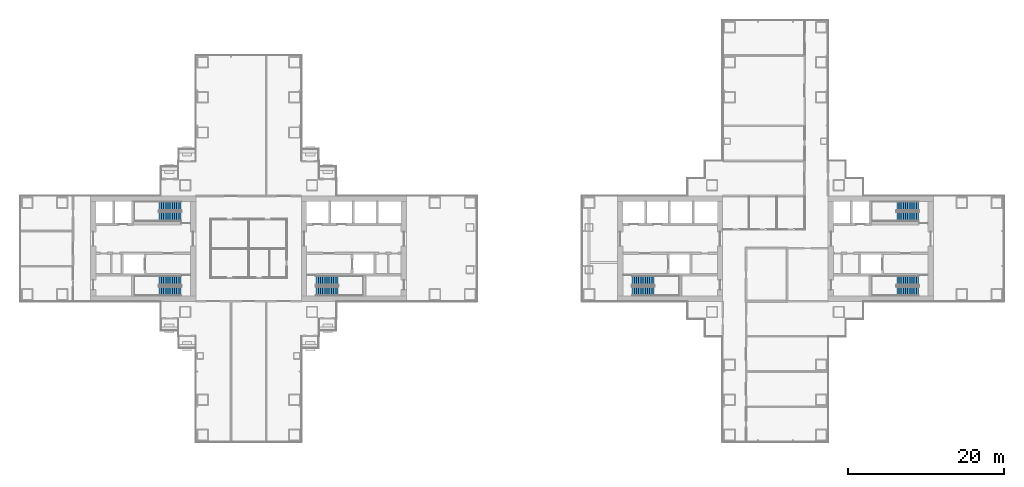
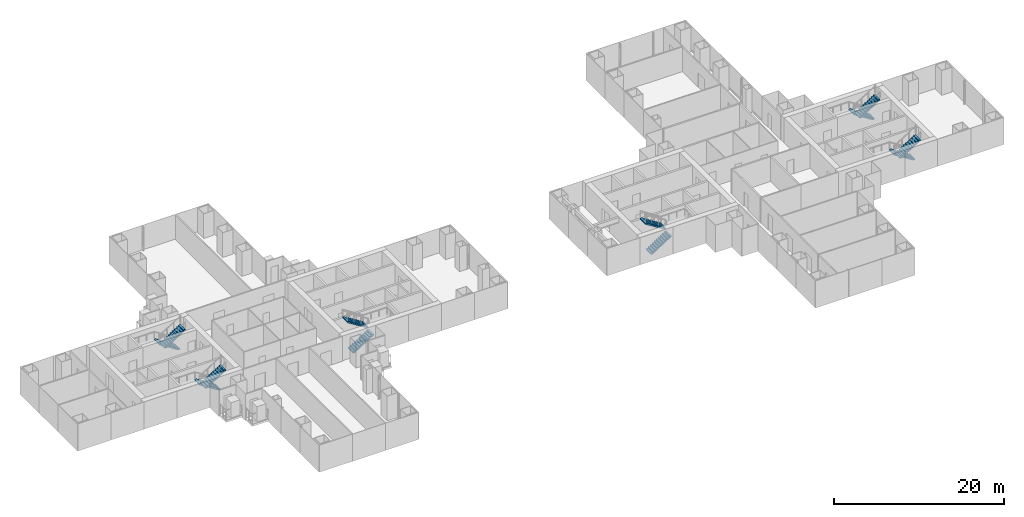
# One storey, part 18 of 21: 12 stair flights, 6 elements without a shape of their own.
"""IFC4 building model written with IfcOpenShell, lengths in metres."""

from ifc_helpers import new_model, si_unit, direction, frame, origin, place, context, subcontext, project, spatial, polyline, outline, extrude, material, type_object, element, aggregate, save


model = new_model("IFC4")

# Units and contexts
model_context = context("Model", 3, precision=1e-05, world=origin(), true_north=direction((0.0, 1.0)))
body_context = subcontext(model_context, "Body", "Model", "MODEL_VIEW")
ifc_project = project(units=[si_unit("LENGTHUNIT", "METRE"), si_unit("AREAUNIT", "SQUARE_METRE"), si_unit("VOLUMEUNIT", "CUBIC_METRE"), si_unit("PLANEANGLEUNIT", "RADIAN"), si_unit("MASSUNIT", "GRAM", prefix="KILO")], contexts=[model_context])

# Site, building, storey
site_placement = place(None, origin())
site = spatial("IfcSite", under=ifc_project, at=site_placement, CompositionType="ELEMENT")
building_placement = place(site_placement, origin())
building = spatial("IfcBuilding", under=site, at=building_placement, Name="Shamsa Quay Exchange Towers", CompositionType="ELEMENT")
storey_placement = place(building_placement, frame((0.0, 0.0, 42.0)))
storey = spatial("IfcBuildingStorey", under=building, at=storey_placement, Name="L08", CompositionType="ELEMENT", Elevation=42.0)

# Stair, stair flights
ifc_material = material(Name="Concrete C40/50", Category="concrete")
stair_type = type_object("IfcStairType", Name="EXIT STAIR 22 RISERS 177 MM", PredefinedType="HALF_TURN_STAIR", material=ifc_material)
stair_1_placement = place(storey_placement, origin())
stair_1 = element("IfcStair", 1, at=stair_1_placement, inside=storey, type_object=stair_type, Name="L08 Exit stair ST1", PredefinedType="HALF_TURN_STAIR")
stair_flight_type = type_object("IfcStairFlightType", Name="EXIT STAIR FLIGHT 11 RISERS 177 MM", PredefinedType="STRAIGHT", material=ifc_material)
stair_flight_1_placement = place(storey_placement, frame((-25.10009765625, -5.449951171875, 0.0)))
stair_flight_1 = element("IfcStairFlight", 2, at=stair_flight_1_placement, type_object=stair_flight_type, Name="ST1 flight 1", NumberOfRisers=11, NumberOfTreads=10, PredefinedType="STRAIGHT", RiserHeight=0.177272727, TreadLength=0.28, context=body_context, shape_type="SweptSolid", body=[
    extrude(outline(polyline([(0.0, 0.0), (0.0, 0.17724609375), (0.280029296875, 0.17724609375), (0.280029296875, 0.3544921875), (0.56005859375, 0.3544921875), (0.56005859375, 0.53173828125), (0.840087890625, 0.53173828125), (0.840087890625, 0.708984375), (1.1201171875, 0.708984375), (1.1201171875, 0.886474609375), (1.39990234375, 0.886474609375), (1.39990234375, 1.063720703125), (1.679931640625, 1.063720703125), (1.679931640625, 1.240966796875), (1.9599609375, 1.240966796875), (1.9599609375, 1.418212890625), (2.239990234375, 1.418212890625), (2.239990234375, 1.595458984375), (2.52001953125, 1.595458984375), (2.52001953125, 1.772705078125), (2.800048828125, 1.772705078125), (2.800048828125, 1.949951171875), (2.800048828125, 1.607177734375), (0.261474609375, 0.0), (0.0, 0.0)])), frame((0.0, 0.60009765625, 0.0), z_axis=(0.0, -1.0, 0.0), x_axis=(1.0, 0.0, 0.0)), (0.0, 0.0, 1.0), 1.199951171875),
])
stair_flight_2_placement = place(storey_placement, frame((-22.300048828125, -4.10009765625, 1.949951171875), z_axis=(0.0, 0.0, 1.0), x_axis=(-1.0, 0.0, 0.0)))
stair_flight_2 = element("IfcStairFlight", 3, at=stair_flight_2_placement, type_object=stair_flight_type, Name="ST1 flight 2", NumberOfRisers=11, NumberOfTreads=10, PredefinedType="STRAIGHT", RiserHeight=0.177272727, TreadLength=0.28, context=body_context, shape_type="SweptSolid", body=[
    extrude(outline(polyline([(0.0, 0.0), (0.0, 0.17724609375), (0.280029296875, 0.17724609375), (0.280029296875, 0.3544921875), (0.56005859375, 0.3544921875), (0.56005859375, 0.53173828125), (0.840087890625, 0.53173828125), (0.840087890625, 0.708984375), (1.1201171875, 0.708984375), (1.1201171875, 0.886474609375), (1.39990234375, 0.886474609375), (1.39990234375, 1.063720703125), (1.679931640625, 1.063720703125), (1.679931640625, 1.240966796875), (1.9599609375, 1.240966796875), (1.9599609375, 1.418212890625), (2.239990234375, 1.418212890625), (2.239990234375, 1.595458984375), (2.52001953125, 1.595458984375), (2.52001953125, 1.772705078125), (2.800048828125, 1.772705078125), (2.800048828125, 1.949951171875), (2.800048828125, 1.607177734375), (0.261474609375, 0.0), (0.0, 0.0)])), frame((0.0, 0.60009765625, 0.0), z_axis=(0.0, -1.0, 0.0), x_axis=(1.0, 0.0, 0.0)), (0.0, 0.0, 1.0), 1.199951171875),
])
aggregate(stair_1, [stair_flight_1, stair_flight_2])

stair_2_placement = place(storey_placement, origin())
stair_2 = element("IfcStair", 4, at=stair_2_placement, inside=storey, type_object=stair_type, Name="L08 Exit stair ST2", PredefinedType="HALF_TURN_STAIR")
stair_flight_3_placement = place(storey_placement, frame((-42.39990234375, -4.10009765625, 0.0), z_axis=(0.0, 0.0, 1.0), x_axis=(-1.0, 0.0, 0.0)))
stair_flight_3 = element("IfcStairFlight", 5, at=stair_flight_3_placement, type_object=stair_flight_type, Name="ST2 flight 1", NumberOfRisers=11, NumberOfTreads=10, PredefinedType="STRAIGHT", RiserHeight=0.177272727, TreadLength=0.28, context=body_context, shape_type="SweptSolid", body=[
    extrude(outline(polyline([(0.0, 0.0), (0.0, 0.17724609375), (0.280029296875, 0.17724609375), (0.280029296875, 0.3544921875), (0.56005859375, 0.3544921875), (0.56005859375, 0.53173828125), (0.840087890625, 0.53173828125), (0.840087890625, 0.708984375), (1.1201171875, 0.708984375), (1.1201171875, 0.886474609375), (1.39990234375, 0.886474609375), (1.39990234375, 1.063720703125), (1.679931640625, 1.063720703125), (1.679931640625, 1.240966796875), (1.9599609375, 1.240966796875), (1.9599609375, 1.418212890625), (2.239990234375, 1.418212890625), (2.239990234375, 1.595458984375), (2.52001953125, 1.595458984375), (2.52001953125, 1.772705078125), (2.800048828125, 1.772705078125), (2.800048828125, 1.949951171875), (2.800048828125, 1.607177734375), (0.261474609375, 0.0), (0.0, 0.0)])), frame((0.0, 0.60009765625, 0.0), z_axis=(0.0, -1.0, 0.0), x_axis=(1.0, 0.0, 0.0)), (0.0, 0.0, 1.0), 1.199951171875),
])
stair_flight_4_placement = place(storey_placement, frame((-45.199951171875, -5.449951171875, 1.949951171875)))
stair_flight_4 = element("IfcStairFlight", 6, at=stair_flight_4_placement, type_object=stair_flight_type, Name="ST2 flight 2", NumberOfRisers=11, NumberOfTreads=10, PredefinedType="STRAIGHT", RiserHeight=0.177272727, TreadLength=0.28, context=body_context, shape_type="SweptSolid", body=[
    extrude(outline(polyline([(0.0, 0.0), (0.0, 0.17724609375), (0.280029296875, 0.17724609375), (0.280029296875, 0.3544921875), (0.56005859375, 0.3544921875), (0.56005859375, 0.53173828125), (0.840087890625, 0.53173828125), (0.840087890625, 0.708984375), (1.1201171875, 0.708984375), (1.1201171875, 0.886474609375), (1.39990234375, 0.886474609375), (1.39990234375, 1.063720703125), (1.679931640625, 1.063720703125), (1.679931640625, 1.240966796875), (1.9599609375, 1.240966796875), (1.9599609375, 1.418212890625), (2.239990234375, 1.418212890625), (2.239990234375, 1.595458984375), (2.52001953125, 1.595458984375), (2.52001953125, 1.772705078125), (2.800048828125, 1.772705078125), (2.800048828125, 1.949951171875), (2.800048828125, 1.607177734375), (0.261474609375, 0.0), (0.0, 0.0)])), frame((0.0, 0.60009765625, 0.0), z_axis=(0.0, -1.0, 0.0), x_axis=(1.0, 0.0, 0.0)), (0.0, 0.0, 1.0), 1.199951171875),
])
aggregate(stair_2, [stair_flight_3, stair_flight_4])

stair_3_placement = place(storey_placement, origin())
stair_3 = element("IfcStair", 7, at=stair_3_placement, inside=storey, type_object=stair_type, Name="L08 Exit stair ST3", PredefinedType="HALF_TURN_STAIR")
stair_flight_5_placement = place(storey_placement, frame((-42.39990234375, 5.449951171875, 0.0), z_axis=(0.0, 0.0, 1.0), x_axis=(-1.0, 0.0, 0.0)))
stair_flight_5 = element("IfcStairFlight", 8, at=stair_flight_5_placement, type_object=stair_flight_type, Name="ST3 flight 1", NumberOfRisers=11, NumberOfTreads=10, PredefinedType="STRAIGHT", RiserHeight=0.177272727, TreadLength=0.28, context=body_context, shape_type="SweptSolid", body=[
    extrude(outline(polyline([(0.0, 0.0), (0.0, 0.17724609375), (0.280029296875, 0.17724609375), (0.280029296875, 0.3544921875), (0.56005859375, 0.3544921875), (0.56005859375, 0.53173828125), (0.840087890625, 0.53173828125), (0.840087890625, 0.708984375), (1.1201171875, 0.708984375), (1.1201171875, 0.886474609375), (1.39990234375, 0.886474609375), (1.39990234375, 1.063720703125), (1.679931640625, 1.063720703125), (1.679931640625, 1.240966796875), (1.9599609375, 1.240966796875), (1.9599609375, 1.418212890625), (2.239990234375, 1.418212890625), (2.239990234375, 1.595458984375), (2.52001953125, 1.595458984375), (2.52001953125, 1.772705078125), (2.800048828125, 1.772705078125), (2.800048828125, 1.949951171875), (2.800048828125, 1.607177734375), (0.261474609375, 0.0), (0.0, 0.0)])), frame((0.0, 0.60009765625, 0.0), z_axis=(0.0, -1.0, 0.0), x_axis=(1.0, 0.0, 0.0)), (0.0, 0.0, 1.0), 1.199951171875),
])
stair_flight_6_placement = place(storey_placement, frame((-45.199951171875, 4.10009765625, 1.949951171875)))
stair_flight_6 = element("IfcStairFlight", 9, at=stair_flight_6_placement, type_object=stair_flight_type, Name="ST3 flight 2", NumberOfRisers=11, NumberOfTreads=10, PredefinedType="STRAIGHT", RiserHeight=0.177272727, TreadLength=0.28, context=body_context, shape_type="SweptSolid", body=[
    extrude(outline(polyline([(0.0, 0.0), (0.0, 0.17724609375), (0.280029296875, 0.17724609375), (0.280029296875, 0.3544921875), (0.56005859375, 0.3544921875), (0.56005859375, 0.53173828125), (0.840087890625, 0.53173828125), (0.840087890625, 0.708984375), (1.1201171875, 0.708984375), (1.1201171875, 0.886474609375), (1.39990234375, 0.886474609375), (1.39990234375, 1.063720703125), (1.679931640625, 1.063720703125), (1.679931640625, 1.240966796875), (1.9599609375, 1.240966796875), (1.9599609375, 1.418212890625), (2.239990234375, 1.418212890625), (2.239990234375, 1.595458984375), (2.52001953125, 1.595458984375), (2.52001953125, 1.772705078125), (2.800048828125, 1.772705078125), (2.800048828125, 1.949951171875), (2.800048828125, 1.607177734375), (0.261474609375, 0.0), (0.0, 0.0)])), frame((0.0, 0.60009765625, 0.0), z_axis=(0.0, -1.0, 0.0), x_axis=(1.0, 0.0, 0.0)), (0.0, 0.0, 1.0), 1.199951171875),
])
aggregate(stair_3, [stair_flight_5, stair_flight_6])

stair_4_placement = place(storey_placement, origin())
stair_4 = element("IfcStair", 10, at=stair_4_placement, inside=storey, type_object=stair_type, Name="L08 Exit stair ST4", PredefinedType="HALF_TURN_STAIR")
stair_flight_7_placement = place(storey_placement, frame((15.39990234375, -5.449951171875, 0.0)))
stair_flight_7 = element("IfcStairFlight", 11, at=stair_flight_7_placement, type_object=stair_flight_type, Name="ST4 flight 1", NumberOfRisers=11, NumberOfTreads=10, PredefinedType="STRAIGHT", RiserHeight=0.177272727, TreadLength=0.28, context=body_context, shape_type="SweptSolid", body=[
    extrude(outline(polyline([(0.0, 0.0), (0.0, 0.17724609375), (0.280029296875, 0.17724609375), (0.280029296875, 0.3544921875), (0.56005859375, 0.3544921875), (0.56005859375, 0.53173828125), (0.840087890625, 0.53173828125), (0.840087890625, 0.708984375), (1.1201171875, 0.708984375), (1.1201171875, 0.886474609375), (1.39990234375, 0.886474609375), (1.39990234375, 1.063720703125), (1.679931640625, 1.063720703125), (1.679931640625, 1.240966796875), (1.9599609375, 1.240966796875), (1.9599609375, 1.418212890625), (2.239990234375, 1.418212890625), (2.239990234375, 1.595458984375), (2.52001953125, 1.595458984375), (2.52001953125, 1.772705078125), (2.800048828125, 1.772705078125), (2.800048828125, 1.949951171875), (2.800048828125, 1.607177734375), (0.261474609375, 0.0), (0.0, 0.0)])), frame((0.0, 0.60009765625, 0.0), z_axis=(0.0, -1.0, 0.0), x_axis=(1.0, 0.0, 0.0)), (0.0, 0.0, 1.0), 1.199951171875),
])
stair_flight_8_placement = place(storey_placement, frame((18.199951171875, -4.10009765625, 1.949951171875), z_axis=(0.0, 0.0, 1.0), x_axis=(-1.0, 0.0, 0.0)))
stair_flight_8 = element("IfcStairFlight", 12, at=stair_flight_8_placement, type_object=stair_flight_type, Name="ST4 flight 2", NumberOfRisers=11, NumberOfTreads=10, PredefinedType="STRAIGHT", RiserHeight=0.177272727, TreadLength=0.28, context=body_context, shape_type="SweptSolid", body=[
    extrude(outline(polyline([(0.0, 0.0), (0.0, 0.17724609375), (0.280029296875, 0.17724609375), (0.280029296875, 0.3544921875), (0.56005859375, 0.3544921875), (0.56005859375, 0.53173828125), (0.840087890625, 0.53173828125), (0.840087890625, 0.708984375), (1.1201171875, 0.708984375), (1.1201171875, 0.886474609375), (1.39990234375, 0.886474609375), (1.39990234375, 1.063720703125), (1.679931640625, 1.063720703125), (1.679931640625, 1.240966796875), (1.9599609375, 1.240966796875), (1.9599609375, 1.418212890625), (2.239990234375, 1.418212890625), (2.239990234375, 1.595458984375), (2.52001953125, 1.595458984375), (2.52001953125, 1.772705078125), (2.800048828125, 1.772705078125), (2.800048828125, 1.949951171875), (2.800048828125, 1.607177734375), (0.261474609375, 0.0), (0.0, 0.0)])), frame((0.0, 0.60009765625, 0.0), z_axis=(0.0, -1.0, 0.0), x_axis=(1.0, 0.0, 0.0)), (0.0, 0.0, 1.0), 1.199951171875),
])
aggregate(stair_4, [stair_flight_7, stair_flight_8])

stair_5_placement = place(storey_placement, origin())
stair_5 = element("IfcStair", 13, at=stair_5_placement, inside=storey, type_object=stair_type, Name="L08 Exit stair ST5", PredefinedType="HALF_TURN_STAIR")
stair_flight_9_placement = place(storey_placement, frame((52.10009765625, -4.10009765625, 0.0), z_axis=(0.0, 0.0, 1.0), x_axis=(-1.0, 0.0, 0.0)))
stair_flight_9 = element("IfcStairFlight", 14, at=stair_flight_9_placement, type_object=stair_flight_type, Name="ST5 flight 1", NumberOfRisers=11, NumberOfTreads=10, PredefinedType="STRAIGHT", RiserHeight=0.177272727, TreadLength=0.28, context=body_context, shape_type="SweptSolid", body=[
    extrude(outline(polyline([(0.0, 0.0), (0.0, 0.17724609375), (0.280029296875, 0.17724609375), (0.280029296875, 0.3544921875), (0.56005859375, 0.3544921875), (0.56005859375, 0.53173828125), (0.840087890625, 0.53173828125), (0.840087890625, 0.708984375), (1.1201171875, 0.708984375), (1.1201171875, 0.886474609375), (1.39990234375, 0.886474609375), (1.39990234375, 1.063720703125), (1.679931640625, 1.063720703125), (1.679931640625, 1.240966796875), (1.9599609375, 1.240966796875), (1.9599609375, 1.418212890625), (2.239990234375, 1.418212890625), (2.239990234375, 1.595458984375), (2.52001953125, 1.595458984375), (2.52001953125, 1.772705078125), (2.800048828125, 1.772705078125), (2.800048828125, 1.949951171875), (2.800048828125, 1.607177734375), (0.261474609375, 0.0), (0.0, 0.0)])), frame((0.0, 0.60009765625, 0.0), z_axis=(0.0, -1.0, 0.0), x_axis=(1.0, 0.0, 0.0)), (0.0, 0.0, 1.0), 1.199951171875),
])
stair_flight_10_placement = place(storey_placement, frame((49.300048828125, -5.449951171875, 1.949951171875)))
stair_flight_10 = element("IfcStairFlight", 15, at=stair_flight_10_placement, type_object=stair_flight_type, Name="ST5 flight 2", NumberOfRisers=11, NumberOfTreads=10, PredefinedType="STRAIGHT", RiserHeight=0.177272727, TreadLength=0.28, context=body_context, shape_type="SweptSolid", body=[
    extrude(outline(polyline([(0.0, 0.0), (0.0, 0.17724609375), (0.280029296875, 0.17724609375), (0.280029296875, 0.3544921875), (0.56005859375, 0.3544921875), (0.56005859375, 0.53173828125), (0.840087890625, 0.53173828125), (0.840087890625, 0.708984375), (1.1201171875, 0.708984375), (1.1201171875, 0.886474609375), (1.39990234375, 0.886474609375), (1.39990234375, 1.063720703125), (1.679931640625, 1.063720703125), (1.679931640625, 1.240966796875), (1.9599609375, 1.240966796875), (1.9599609375, 1.418212890625), (2.239990234375, 1.418212890625), (2.239990234375, 1.595458984375), (2.52001953125, 1.595458984375), (2.52001953125, 1.772705078125), (2.800048828125, 1.772705078125), (2.800048828125, 1.949951171875), (2.800048828125, 1.607177734375), (0.261474609375, 0.0), (0.0, 0.0)])), frame((0.0, 0.60009765625, 0.0), z_axis=(0.0, -1.0, 0.0), x_axis=(1.0, 0.0, 0.0)), (0.0, 0.0, 1.0), 1.199951171875),
])
aggregate(stair_5, [stair_flight_9, stair_flight_10])

stair_6_placement = place(storey_placement, origin())
stair_6 = element("IfcStair", 16, at=stair_6_placement, inside=storey, type_object=stair_type, Name="L08 Exit stair ST6", PredefinedType="HALF_TURN_STAIR")
stair_flight_11_placement = place(storey_placement, frame((52.10009765625, 5.449951171875, 0.0), z_axis=(0.0, 0.0, 1.0), x_axis=(-1.0, 0.0, 0.0)))
stair_flight_11 = element("IfcStairFlight", 17, at=stair_flight_11_placement, type_object=stair_flight_type, Name="ST6 flight 1", NumberOfRisers=11, NumberOfTreads=10, PredefinedType="STRAIGHT", RiserHeight=0.177272727, TreadLength=0.28, context=body_context, shape_type="SweptSolid", body=[
    extrude(outline(polyline([(0.0, 0.0), (0.0, 0.17724609375), (0.280029296875, 0.17724609375), (0.280029296875, 0.3544921875), (0.56005859375, 0.3544921875), (0.56005859375, 0.53173828125), (0.840087890625, 0.53173828125), (0.840087890625, 0.708984375), (1.1201171875, 0.708984375), (1.1201171875, 0.886474609375), (1.39990234375, 0.886474609375), (1.39990234375, 1.063720703125), (1.679931640625, 1.063720703125), (1.679931640625, 1.240966796875), (1.9599609375, 1.240966796875), (1.9599609375, 1.418212890625), (2.239990234375, 1.418212890625), (2.239990234375, 1.595458984375), (2.52001953125, 1.595458984375), (2.52001953125, 1.772705078125), (2.800048828125, 1.772705078125), (2.800048828125, 1.949951171875), (2.800048828125, 1.607177734375), (0.261474609375, 0.0), (0.0, 0.0)])), frame((0.0, 0.60009765625, 0.0), z_axis=(0.0, -1.0, 0.0), x_axis=(1.0, 0.0, 0.0)), (0.0, 0.0, 1.0), 1.199951171875),
])
stair_flight_12_placement = place(storey_placement, frame((49.300048828125, 4.10009765625, 1.949951171875)))
stair_flight_12 = element("IfcStairFlight", 18, at=stair_flight_12_placement, type_object=stair_flight_type, Name="ST6 flight 2", NumberOfRisers=11, NumberOfTreads=10, PredefinedType="STRAIGHT", RiserHeight=0.177272727, TreadLength=0.28, context=body_context, shape_type="SweptSolid", body=[
    extrude(outline(polyline([(0.0, 0.0), (0.0, 0.17724609375), (0.280029296875, 0.17724609375), (0.280029296875, 0.3544921875), (0.56005859375, 0.3544921875), (0.56005859375, 0.53173828125), (0.840087890625, 0.53173828125), (0.840087890625, 0.708984375), (1.1201171875, 0.708984375), (1.1201171875, 0.886474609375), (1.39990234375, 0.886474609375), (1.39990234375, 1.063720703125), (1.679931640625, 1.063720703125), (1.679931640625, 1.240966796875), (1.9599609375, 1.240966796875), (1.9599609375, 1.418212890625), (2.239990234375, 1.418212890625), (2.239990234375, 1.595458984375), (2.52001953125, 1.595458984375), (2.52001953125, 1.772705078125), (2.800048828125, 1.772705078125), (2.800048828125, 1.949951171875), (2.800048828125, 1.607177734375), (0.261474609375, 0.0), (0.0, 0.0)])), frame((0.0, 0.60009765625, 0.0), z_axis=(0.0, -1.0, 0.0), x_axis=(1.0, 0.0, 0.0)), (0.0, 0.0, 1.0), 1.199951171875),
])
aggregate(stair_6, [stair_flight_11, stair_flight_12])

save(model, "model.ifc")
